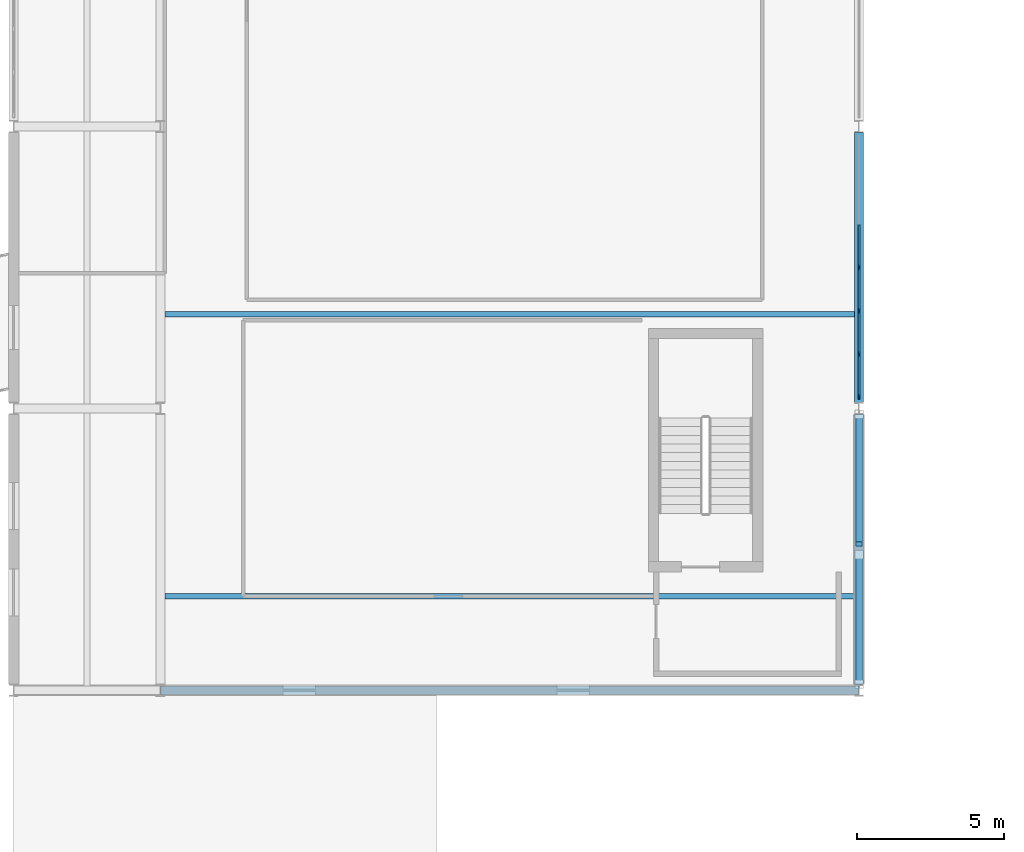
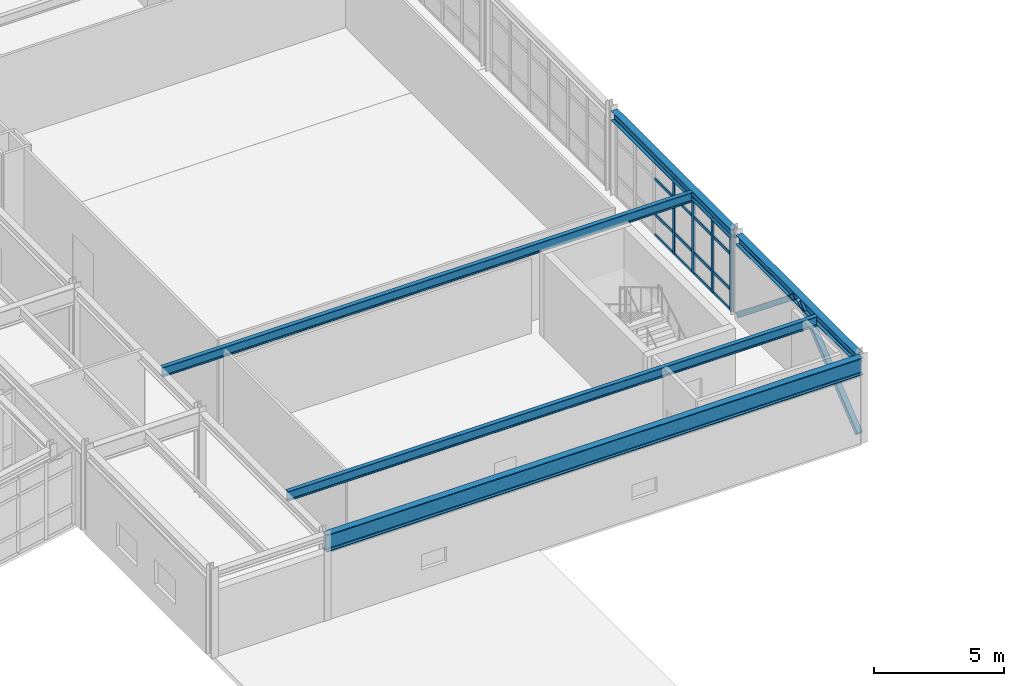
# One storey, part 25 of 88: 22 members, 5 beams, 1 element without a shape of its own.
"""IFC4 building model written with IfcOpenShell, lengths in metres."""

from ifc_helpers import new_model, si_unit, direction, frame, origin, origin_2d, place, context, subcontext, project, spatial, rectangle, hollow_rectangle, i_section, extrude, material, layer, layer_set, material_profile, profile_set, type_object, element, aggregate, save


model = new_model("IFC4")

# Units and contexts
model_context = context("Model", 3, precision=1e-05, world=origin(), true_north=direction((0.0, 1.0)))
body_context = subcontext(model_context, "Body", "Model", "MODEL_VIEW")
ifc_project = project(units=[si_unit("LENGTHUNIT", "METRE"), si_unit("AREAUNIT", "SQUARE_METRE"), si_unit("VOLUMEUNIT", "CUBIC_METRE"), si_unit("PLANEANGLEUNIT", "RADIAN"), si_unit("MASSUNIT", "GRAM", prefix="KILO")], contexts=[model_context])

# Site, building, storey
site_placement = place(None, origin())
site = spatial("IfcSite", under=ifc_project, at=site_placement, CompositionType="ELEMENT")
building_placement = place(site_placement, origin())
building = spatial("IfcBuilding", under=site, at=building_placement, Name="Nordkorset Police Headquarters", CompositionType="ELEMENT")
storey_placement = place(building_placement, frame((0.0, 0.0, 9.449951171875)))
storey = spatial("IfcBuildingStorey", under=building, at=storey_placement, Name="L02", CompositionType="ELEMENT", Elevation=9.449951171875)

# Beams
ifc_material_1 = material(Name="Steel S355J2", Category="steel")
ifc_material_profile_1 = material_profile(ifc_material_1, i_section(OverallWidth=0.18994140625, OverallDepth=0.449951171875, WebThickness=0.009521484375, FlangeThickness=0.0146484375, FilletRadius=0.02099609375, at=origin_2d()), Name="IPE 450")
ifc_profile_set_1 = profile_set([ifc_material_profile_1], Name="Steel S355J2")
beam_type_1 = type_object("IfcBeamType", Name="Beam_IPE_450", PredefinedType="BEAM", material=ifc_profile_set_1)
for number, where, z_axis, x_axis, name in (
    (1, (91.550048828125, 51.199951171875, 3.7451171875), (1.0, 0.0, 0.0), (0.0, 1.0, 0.0), "Composite Floor Beam V5 L02 1-0-1"),
    (2, (91.550048828125, 60.800048828125, 3.7451171875), (1.0, 0.0, 0.0), (0.0, 1.0, 0.0), "Composite Floor Beam V5 L02 1-1-1"),
):
    element("IfcBeam", number, at=place(storey_placement, frame(where, z_axis=z_axis, x_axis=x_axis)), inside=storey, type_object=beam_type_1, Name=name, PredefinedType="BEAM", context=body_context, shape_type="SweptSolid", body=[
        extrude(i_section(OverallWidth=0.18994140625, OverallDepth=0.449951171875, WebThickness=0.009521484375, FlangeThickness=0.0146484375, FilletRadius=0.02099609375, at=origin_2d()), origin(), (0.0, 0.0, 1.0), 23.5),
    ])

# Members
ifc_material_2 = material(Name="Steel S355J2", Category="steel")
ifc_material_profile_2 = material_profile(ifc_material_2, hollow_rectangle(XDim=0.25, YDim=0.25, WallThickness=0.012451171875, InnerFilletRadius=0.012451171875, OuterFilletRadius=0.02490234375, at=origin_2d()), Name="SHS 250x250x12.5")
ifc_profile_set_2 = profile_set([ifc_material_profile_2], Name="Steel S355J2")
member_type_1 = type_object("IfcMemberType", Name="Brace_SHS_250x250x12.5", PredefinedType="BRACE", material=ifc_profile_set_2)
for number, where, z_axis, x_axis, name in (
    (3, (115.199951171875, 48.199951171875, 0.199951171875), (0.0, 0.779669991472, 0.626190629439), (-1.0, 0.0, 0.0), "Lateral Chevron Brace BF-EXT-V5E0 L02 D1"),
    (4, (115.199951171875, 57.39990234375, 0.199951171875), (0.0, -0.779653104675, 0.626211654611), (1.0, 0.0, 0.0), "Lateral Chevron Brace BF-EXT-V5E0 L02 D2"),
):
    element("IfcMember", number, at=place(storey_placement, frame(where, z_axis=z_axis, x_axis=x_axis)), inside=storey, type_object=member_type_1, Name=name, PredefinedType="BRACE", context=body_context, shape_type="SweptSolid", body=[
        extrude(hollow_rectangle(XDim=0.25, YDim=0.25, WallThickness=0.012451171875, InnerFilletRadius=0.012451171875, OuterFilletRadius=0.02490234375, at=origin_2d()), origin(), (0.0, 0.0, 1.0), 5.669189453125),
    ])

# Curtain wall, members
ifc_material_3 = material(Name="Aluminium alloy AW-6060", Category="aluminium")
ifc_layer = layer(ifc_material_3, 0.179931640625, Name="Aluminium alloy AW-6060")
ifc_layer_set = layer_set([ifc_layer], Name="Aluminium alloy AW-6060")
curtain_wall_type = type_object("IfcCurtainWallType", Name="CW_Unit_888x351", PredefinedType="USERDEFINED", material=ifc_layer_set)
curtain_wall_placement = place(storey_placement, origin())
curtain_wall = element("IfcCurtainWall", 5, at=curtain_wall_placement, inside=storey, type_object=curtain_wall_type, Name="Unitised Curtain Wall L02 V5E-1", ObjectType="UNITISED CURTAIN WALL", PredefinedType="USERDEFINED")
ifc_material_4 = material(Name="Aluminium alloy AW-6060", Category="aluminium")
ifc_material_profile_3 = material_profile(ifc_material_4, rectangle(XDim=0.06494140625, YDim=0.179931640625, at=origin_2d()), Name="ALU MULL 65x180")
ifc_profile_set_3 = profile_set([ifc_material_profile_3], Name="Aluminium alloy AW-6060")
member_type_2 = type_object("IfcMemberType", Name="CW_Mullion_65x180", PredefinedType="MULLION", material=ifc_profile_set_3)
member_1_placement = place(storey_placement, frame((115.199951171875, 57.992431640625, 0.0), z_axis=(0.0, 0.0, 1.0), x_axis=(-1.0, 0.0, 0.0)))
member_1 = element("IfcMember", 6, at=member_1_placement, type_object=member_type_2, Name="CW-58 mullion 1", PredefinedType="MULLION", context=body_context, shape_type="SweptSolid", body=[
    extrude(rectangle(XDim=0.06494140625, YDim=0.179931640625, at=origin_2d()), origin(), (0.0, 0.0, 1.0), 3.510009765625),
])
member_2_placement = place(storey_placement, frame((115.199951171875, 59.43994140625, 0.0), z_axis=(0.0, 0.0, 1.0), x_axis=(-1.0, 0.0, 0.0)))
member_2 = element("IfcMember", 7, at=member_2_placement, type_object=member_type_2, Name="CW-58 mullion 2", PredefinedType="MULLION", context=body_context, shape_type="SweptSolid", body=[
    extrude(rectangle(XDim=0.06494140625, YDim=0.179931640625, at=origin_2d()), origin(), (0.0, 0.0, 1.0), 3.510009765625),
])
member_3_placement = place(storey_placement, frame((115.199951171875, 60.919921875, 0.0), z_axis=(0.0, 0.0, 1.0), x_axis=(-1.0, 0.0, 0.0)))
member_3 = element("IfcMember", 8, at=member_3_placement, type_object=member_type_2, Name="CW-58 mullion 3", PredefinedType="MULLION", context=body_context, shape_type="SweptSolid", body=[
    extrude(rectangle(XDim=0.06494140625, YDim=0.179931640625, at=origin_2d()), origin(), (0.0, 0.0, 1.0), 3.510009765625),
])
member_4_placement = place(storey_placement, frame((115.199951171875, 62.39990234375, 0.0), z_axis=(0.0, 0.0, 1.0), x_axis=(-1.0, 0.0, 0.0)))
member_4 = element("IfcMember", 9, at=member_4_placement, type_object=member_type_2, Name="CW-58 mullion 4", PredefinedType="MULLION", context=body_context, shape_type="SweptSolid", body=[
    extrude(rectangle(XDim=0.06494140625, YDim=0.179931640625, at=origin_2d()), origin(), (0.0, 0.0, 1.0), 3.510009765625),
])
ifc_material_5 = material(Name="Aluminium alloy AW-6060", Category="aluminium")
ifc_material_profile_4 = material_profile(ifc_material_5, rectangle(XDim=0.06494140625, YDim=0.139892578125, at=origin_2d()), Name="ALU TRAN 65x140")
ifc_profile_set_4 = profile_set([ifc_material_profile_4], Name="Aluminium alloy AW-6060")
member_type_3 = type_object("IfcMemberType", Name="CW_Transom_65x140", PredefinedType="USERDEFINED", material=ifc_profile_set_4)
member_5_placement = place(storey_placement, frame((115.199951171875, 58.02490234375, 0.032470703125), z_axis=(0.0, 1.0, 0.0), x_axis=(-1.0, 0.0, 0.0)))
member_5 = element("IfcMember", 10, at=member_5_placement, type_object=member_type_3, Name="CW-58 transom 1.1", ObjectType="TRANSOM", PredefinedType="USERDEFINED", context=body_context, shape_type="SweptSolid", body=[
    extrude(rectangle(XDim=0.06494140625, YDim=0.139892578125, at=origin_2d()), origin(), (0.0, 0.0, 1.0), 1.382568359375),
])
member_6_placement = place(storey_placement, frame((115.199951171875, 58.02490234375, 1.0), z_axis=(0.0, 1.0, 0.0), x_axis=(-1.0, 0.0, 0.0)))
member_6 = element("IfcMember", 11, at=member_6_placement, type_object=member_type_3, Name="CW-58 transom 1.2", ObjectType="TRANSOM", PredefinedType="USERDEFINED", context=body_context, shape_type="SweptSolid", body=[
    extrude(rectangle(XDim=0.06494140625, YDim=0.139892578125, at=origin_2d()), origin(), (0.0, 0.0, 1.0), 1.382568359375),
])
member_7_placement = place(storey_placement, frame((115.199951171875, 58.02490234375, 2.66015625), z_axis=(0.0, 1.0, 0.0), x_axis=(-1.0, 0.0, 0.0)))
member_7 = element("IfcMember", 12, at=member_7_placement, type_object=member_type_3, Name="CW-58 transom 1.3", ObjectType="TRANSOM", PredefinedType="USERDEFINED", context=body_context, shape_type="SweptSolid", body=[
    extrude(rectangle(XDim=0.06494140625, YDim=0.139892578125, at=origin_2d()), origin(), (0.0, 0.0, 1.0), 1.382568359375),
])
member_8_placement = place(storey_placement, frame((115.199951171875, 58.02490234375, 3.4775390625), z_axis=(0.0, 1.0, 0.0), x_axis=(-1.0, 0.0, 0.0)))
member_8 = element("IfcMember", 13, at=member_8_placement, type_object=member_type_3, Name="CW-58 transom 1.4", ObjectType="TRANSOM", PredefinedType="USERDEFINED", context=body_context, shape_type="SweptSolid", body=[
    extrude(rectangle(XDim=0.06494140625, YDim=0.139892578125, at=origin_2d()), origin(), (0.0, 0.0, 1.0), 1.382568359375),
])
member_9_placement = place(storey_placement, frame((115.199951171875, 59.472412109375, 0.032470703125), z_axis=(0.0, 1.0, 0.0), x_axis=(-1.0, 0.0, 0.0)))
member_9 = element("IfcMember", 14, at=member_9_placement, type_object=member_type_3, Name="CW-58 transom 2.1", ObjectType="TRANSOM", PredefinedType="USERDEFINED", context=body_context, shape_type="SweptSolid", body=[
    extrude(rectangle(XDim=0.06494140625, YDim=0.139892578125, at=origin_2d()), origin(), (0.0, 0.0, 1.0), 1.4150390625),
])
member_10_placement = place(storey_placement, frame((115.199951171875, 59.472412109375, 1.0), z_axis=(0.0, 1.0, 0.0), x_axis=(-1.0, 0.0, 0.0)))
member_10 = element("IfcMember", 15, at=member_10_placement, type_object=member_type_3, Name="CW-58 transom 2.2", ObjectType="TRANSOM", PredefinedType="USERDEFINED", context=body_context, shape_type="SweptSolid", body=[
    extrude(rectangle(XDim=0.06494140625, YDim=0.139892578125, at=origin_2d()), origin(), (0.0, 0.0, 1.0), 1.4150390625),
])
member_11_placement = place(storey_placement, frame((115.199951171875, 59.472412109375, 2.66015625), z_axis=(0.0, 1.0, 0.0), x_axis=(-1.0, 0.0, 0.0)))
member_11 = element("IfcMember", 16, at=member_11_placement, type_object=member_type_3, Name="CW-58 transom 2.3", ObjectType="TRANSOM", PredefinedType="USERDEFINED", context=body_context, shape_type="SweptSolid", body=[
    extrude(rectangle(XDim=0.06494140625, YDim=0.139892578125, at=origin_2d()), origin(), (0.0, 0.0, 1.0), 1.4150390625),
])
member_12_placement = place(storey_placement, frame((115.199951171875, 59.472412109375, 3.4775390625), z_axis=(0.0, 1.0, 0.0), x_axis=(-1.0, 0.0, 0.0)))
member_12 = element("IfcMember", 17, at=member_12_placement, type_object=member_type_3, Name="CW-58 transom 2.4", ObjectType="TRANSOM", PredefinedType="USERDEFINED", context=body_context, shape_type="SweptSolid", body=[
    extrude(rectangle(XDim=0.06494140625, YDim=0.139892578125, at=origin_2d()), origin(), (0.0, 0.0, 1.0), 1.4150390625),
])
member_13_placement = place(storey_placement, frame((115.199951171875, 60.952392578125, 0.032470703125), z_axis=(0.0, 1.0, 0.0), x_axis=(-1.0, 0.0, 0.0)))
member_13 = element("IfcMember", 18, at=member_13_placement, type_object=member_type_3, Name="CW-58 transom 3.1", ObjectType="TRANSOM", PredefinedType="USERDEFINED", context=body_context, shape_type="SweptSolid", body=[
    extrude(rectangle(XDim=0.06494140625, YDim=0.139892578125, at=origin_2d()), origin(), (0.0, 0.0, 1.0), 1.4150390625),
])
member_14_placement = place(storey_placement, frame((115.199951171875, 60.952392578125, 1.0), z_axis=(0.0, 1.0, 0.0), x_axis=(-1.0, 0.0, 0.0)))
member_14 = element("IfcMember", 19, at=member_14_placement, type_object=member_type_3, Name="CW-58 transom 3.2", ObjectType="TRANSOM", PredefinedType="USERDEFINED", context=body_context, shape_type="SweptSolid", body=[
    extrude(rectangle(XDim=0.06494140625, YDim=0.139892578125, at=origin_2d()), origin(), (0.0, 0.0, 1.0), 1.4150390625),
])
member_15_placement = place(storey_placement, frame((115.199951171875, 60.952392578125, 2.66015625), z_axis=(0.0, 1.0, 0.0), x_axis=(-1.0, 0.0, 0.0)))
member_15 = element("IfcMember", 20, at=member_15_placement, type_object=member_type_3, Name="CW-58 transom 3.3", ObjectType="TRANSOM", PredefinedType="USERDEFINED", context=body_context, shape_type="SweptSolid", body=[
    extrude(rectangle(XDim=0.06494140625, YDim=0.139892578125, at=origin_2d()), origin(), (0.0, 0.0, 1.0), 1.4150390625),
])
member_16_placement = place(storey_placement, frame((115.199951171875, 60.952392578125, 3.4775390625), z_axis=(0.0, 1.0, 0.0), x_axis=(-1.0, 0.0, 0.0)))
member_16 = element("IfcMember", 21, at=member_16_placement, type_object=member_type_3, Name="CW-58 transom 3.4", ObjectType="TRANSOM", PredefinedType="USERDEFINED", context=body_context, shape_type="SweptSolid", body=[
    extrude(rectangle(XDim=0.06494140625, YDim=0.139892578125, at=origin_2d()), origin(), (0.0, 0.0, 1.0), 1.4150390625),
])
member_17_placement = place(storey_placement, frame((115.199951171875, 62.4326171875, 0.032470703125), z_axis=(0.0, 1.0, 0.0), x_axis=(-1.0, 0.0, 0.0)))
member_17 = element("IfcMember", 22, at=member_17_placement, type_object=member_type_3, Name="CW-58 transom 4.1", ObjectType="TRANSOM", PredefinedType="USERDEFINED", context=body_context, shape_type="SweptSolid", body=[
    extrude(rectangle(XDim=0.06494140625, YDim=0.139892578125, at=origin_2d()), origin(), (0.0, 0.0, 1.0), 1.414794921875),
])
member_18_placement = place(storey_placement, frame((115.199951171875, 62.4326171875, 1.0), z_axis=(0.0, 1.0, 0.0), x_axis=(-1.0, 0.0, 0.0)))
member_18 = element("IfcMember", 23, at=member_18_placement, type_object=member_type_3, Name="CW-58 transom 4.2", ObjectType="TRANSOM", PredefinedType="USERDEFINED", context=body_context, shape_type="SweptSolid", body=[
    extrude(rectangle(XDim=0.06494140625, YDim=0.139892578125, at=origin_2d()), origin(), (0.0, 0.0, 1.0), 1.414794921875),
])
member_19_placement = place(storey_placement, frame((115.199951171875, 62.4326171875, 2.66015625), z_axis=(0.0, 1.0, 0.0), x_axis=(-1.0, 0.0, 0.0)))
member_19 = element("IfcMember", 24, at=member_19_placement, type_object=member_type_3, Name="CW-58 transom 4.3", ObjectType="TRANSOM", PredefinedType="USERDEFINED", context=body_context, shape_type="SweptSolid", body=[
    extrude(rectangle(XDim=0.06494140625, YDim=0.139892578125, at=origin_2d()), origin(), (0.0, 0.0, 1.0), 1.414794921875),
])
member_20_placement = place(storey_placement, frame((115.199951171875, 62.4326171875, 3.4775390625), z_axis=(0.0, 1.0, 0.0), x_axis=(-1.0, 0.0, 0.0)))
member_20 = element("IfcMember", 25, at=member_20_placement, type_object=member_type_3, Name="CW-58 transom 4.4", ObjectType="TRANSOM", PredefinedType="USERDEFINED", context=body_context, shape_type="SweptSolid", body=[
    extrude(rectangle(XDim=0.06494140625, YDim=0.139892578125, at=origin_2d()), origin(), (0.0, 0.0, 1.0), 1.414794921875),
])
aggregate(curtain_wall, [member_1, member_2, member_3, member_4, member_5, member_6, member_7, member_8, member_9, member_10, member_11, member_12, member_13, member_14, member_15, member_16, member_17, member_18, member_19, member_20])

# Beams
ifc_material_6 = material(Name="Steel S355J2", Category="steel")
ifc_material_profile_5 = material_profile(ifc_material_6, i_section(OverallWidth=0.300048828125, OverallDepth=0.43994140625, WebThickness=0.011474609375, FlangeThickness=0.02099609375, FilletRadius=0.027099609375, at=origin_2d()), Name="HEA 450")
ifc_profile_set_5 = profile_set([ifc_material_profile_5], Name="Steel S355J2")
beam_type_2 = type_object("IfcBeamType", Name="Girder_HEA_450", PredefinedType="USERDEFINED", material=ifc_profile_set_5)
for number, where, z_axis, x_axis, name in (
    (26, (115.199951171875, 48.199951171875, 3.75), (0.0, 1.0, 0.0), (-1.0, 0.0, 0.0), "Girder V5 L02 GY-2-0"),
    (27, (115.199951171875, 57.800048828125, 3.75), (0.0, 1.0, 0.0), (-1.0, 0.0, 0.0), "Girder V5 L02 GY-2-1"),
):
    element("IfcBeam", number, at=place(storey_placement, frame(where, z_axis=z_axis, x_axis=x_axis)), inside=storey, type_object=beam_type_2, Name=name, ObjectType="GIRDER", PredefinedType="USERDEFINED", context=body_context, shape_type="SweptSolid", body=[
        extrude(i_section(OverallWidth=0.300048828125, OverallDepth=0.43994140625, WebThickness=0.011474609375, FlangeThickness=0.02099609375, FilletRadius=0.027099609375, at=origin_2d()), origin(), (0.0, 0.0, 1.0), 9.199951171875),
    ])
ifc_material_7 = material(Name="Steel S355J2", Category="steel")
ifc_material_profile_6 = material_profile(ifc_material_7, i_section(OverallWidth=0.300048828125, OverallDepth=0.800048828125, WebThickness=0.017578125, FlangeThickness=0.032958984375, FilletRadius=0.030029296875, at=origin_2d()), Name="HEB 800")
ifc_profile_set_6 = profile_set([ifc_material_profile_6], Name="Steel S355J2")
beam_type_3 = type_object("IfcBeamType", Name="Girder_HEB_800", PredefinedType="USERDEFINED", material=ifc_profile_set_6)
beam_placement = place(storey_placement, frame((91.40673828125, 48.0, 3.56494140625), z_axis=(1.0, 0.0, 0.0), x_axis=(0.0, 1.0, 0.0)))
element("IfcBeam", 28, at=beam_placement, inside=storey, type_object=beam_type_3, Name="Girder V5 L02 GX-0-1", ObjectType="GIRDER", PredefinedType="USERDEFINED", context=body_context, shape_type="SweptSolid", body=[
    extrude(i_section(OverallWidth=0.300048828125, OverallDepth=0.800048828125, WebThickness=0.017578125, FlangeThickness=0.032958984375, FilletRadius=0.030029296875, at=origin_2d()), origin(), (0.0, 0.0, 1.0), 23.78662109375),
])

save(model, "model.ifc")
